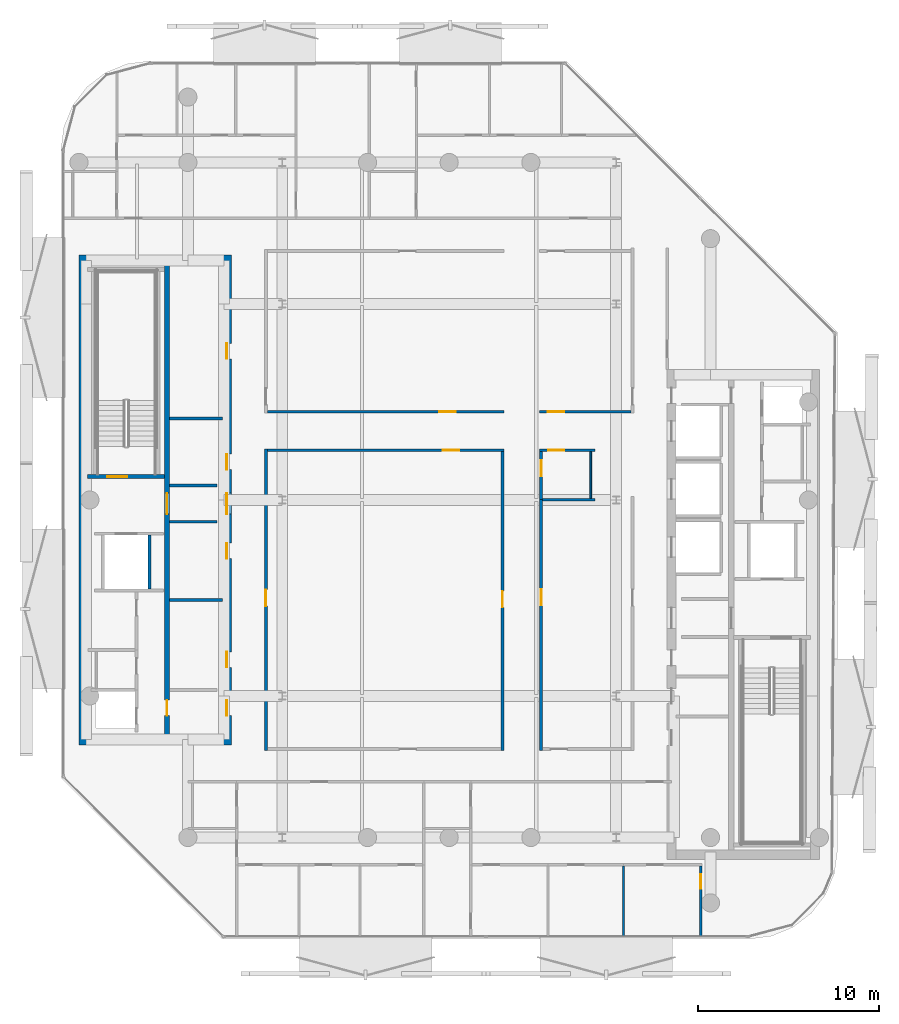
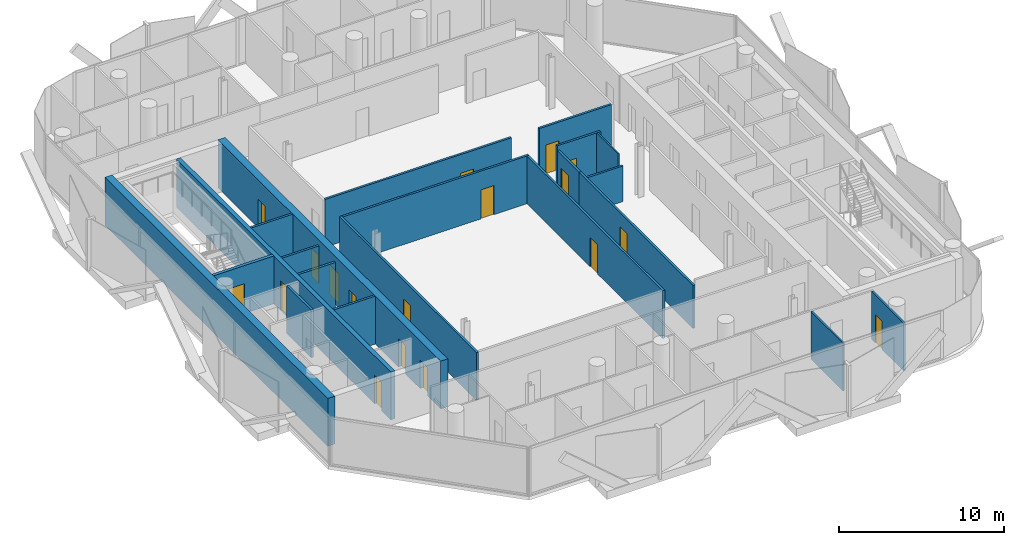
# One storey, part 5 of 17: 21 walls, 18 doors, 18 openings.
"""IFC4 building model written with IfcOpenShell, lengths in metres."""

from ifc_helpers import new_model, si_unit, direction, frame, frame_2d, origin, place, context, subcontext, project, spatial, rectangle, extrude, material, layer, layer_set, type_object, element, fill, save


model = new_model("IFC4")

# Units and contexts
model_context = context("Model", 3, precision=1e-05, world=origin(), true_north=direction((0.0, 1.0)))
body_context = subcontext(model_context, "Body", "Model", "MODEL_VIEW")
ifc_project = project(units=[si_unit("LENGTHUNIT", "METRE"), si_unit("AREAUNIT", "SQUARE_METRE"), si_unit("VOLUMEUNIT", "CUBIC_METRE"), si_unit("PLANEANGLEUNIT", "RADIAN"), si_unit("MASSUNIT", "GRAM", prefix="KILO")], contexts=[model_context])

# Site, building, storey
site_placement = place(None, origin())
site = spatial("IfcSite", under=ifc_project, at=site_placement, CompositionType="ELEMENT")
building_placement = place(site_placement, origin())
building = spatial("IfcBuilding", under=site, at=building_placement, Name="Khairoan Windgate Tower", CompositionType="ELEMENT")
storey_placement = place(building_placement, frame((0.0, 0.0, 308.0)))
storey = spatial("IfcBuildingStorey", under=building, at=storey_placement, Name="L74", CompositionType="ELEMENT", Elevation=308.0)

# Walls
ifc_material_1 = material(Name="Moisture-Resistant Gypsum Partition", Category="gypsum")
ifc_layer_1 = layer(ifc_material_1, 0.10009765625, Name="Moisture-Resistant Gypsum Partition")
ifc_layer_set_1 = layer_set([ifc_layer_1], Name="Moisture-Resistant Gypsum Partition")
wall_type_1 = type_object("IfcWallType", Name="Bathroom Wet-Area Partition Wall", PredefinedType="PARTITIONING", material=ifc_layer_set_1)
wall_1_placement = place(storey_placement, frame((7.800048828125, 2.659912109375, 0.0), z_axis=(0.0, 0.0, 1.0), x_axis=(0.0, -1.0, 0.0)))
element("IfcWall", 1, at=wall_1_placement, inside=storey, type_object=wall_type_1, Name="L74 Wet Room Side Wall 089", PredefinedType="PARTITIONING", context=body_context, shape_type="SweptSolid", body=[
    extrude(rectangle(XDim=2.56982421875, YDim=0.10009765625, at=frame_2d((1.284912109375, 0.0))), origin(), (0.0, 0.0, 1.0), 3.5400390625),
])
ifc_material_2 = material(Name="Concrete C40/50", Category="concrete")
ifc_layer_2 = layer(ifc_material_2, 0.159912109375, Name="Concrete C40/50")
ifc_layer_set_2 = layer_set([ifc_layer_2], Name="Concrete C40/50")
wall_type_2 = type_object("IfcWallType", Name="Core and Hoistway Enclosure Wall", PredefinedType="STANDARD", material=ifc_layer_set_2)
wall_2_placement = place(storey_placement, frame((-16.52001953125, -4.89990234375, 0.0), z_axis=(0.0, 0.0, 1.0), x_axis=(0.0, 1.0, 0.0)))
element("IfcWall", 2, at=wall_2_placement, inside=storey, type_object=wall_type_2, Name="L74 Core Shaft Wall SW-FL2E-L74", PredefinedType="STANDARD", context=body_context, shape_type="SweptSolid", body=[
    extrude(rectangle(XDim=2.9599609375, YDim=0.159912109375, at=frame_2d((1.47998046875, 0.0))), origin(), (0.0, 0.0, 1.0), 3.5400390625),
])
for number, where, z_axis, x_axis, name in (
    (3, (-15.39990234375, 0.800048828125, 0.0), (0.0, 0.0, 1.0), (1.0, 0.0, 0.0), "L74 Core Shaft Wall SW-WV1-L74"),
    (4, (-15.39990234375, -1.199951171875, 0.0), (0.0, 0.0, 1.0), (1.0, 0.0, 0.0), "L74 Core Shaft Wall SW-WV2-L74"),
):
    element("IfcWall", number, at=place(storey_placement, frame(where, z_axis=z_axis, x_axis=x_axis)), inside=storey, type_object=wall_type_2, Name=name, PredefinedType="STANDARD", context=body_context, shape_type="SweptSolid", body=[
        extrude(rectangle(XDim=2.599853515625, YDim=0.159912109375, at=frame_2d((1.2998046875, 0.0))), origin(), (0.0, 0.0, 1.0), 3.5400390625),
    ])
ifc_material_3 = material(Name="Acoustic Fire-Rated Gypsum Partition", Category="gypsum")
ifc_layer_3 = layer(ifc_material_3, 0.139892578125, Name="Acoustic Fire-Rated Gypsum Partition")
ifc_layer_set_3 = layer_set([ifc_layer_3], Name="Acoustic Fire-Rated Gypsum Partition")
wall_type_3 = type_object("IfcWallType", Name="Inter-Tenancy Compartment Wall", PredefinedType="PARTITIONING", material=ifc_layer_set_3)
wall_3_placement = place(storey_placement, frame((5.139892578125, 0.02001953125, 0.0), z_axis=(0.0, 0.0, 1.0), x_axis=(1.0, 0.0, 0.0)))
element("IfcWall", 5, at=wall_3_placement, inside=storey, type_object=wall_type_3, Name="L74 Interior Partition 084", PredefinedType="PARTITIONING", context=body_context, shape_type="SweptSolid", body=[
    extrude(rectangle(XDim=2.900146484375, YDim=0.139892578125, at=frame_2d((1.4501953125, 0.0))), origin(), (0.0, 0.0, 1.0), 2.639892578125),
])

# Wall, opening, door
ifc_material_4 = material(Name="Gypsum Stud Partition", Category="gypsum")
ifc_layer_4 = layer(ifc_material_4, 0.1201171875, Name="Gypsum Stud Partition")
ifc_layer_set_4 = layer_set([ifc_layer_4], Name="Gypsum Stud Partition")
wall_type_4 = type_object("IfcWallType", Name="Internal Room Partition Wall", PredefinedType="PARTITIONING", material=ifc_layer_set_4)
wall_4_placement = place(storey_placement, frame((13.860107421875, -24.054931640625, 0.0), z_axis=(0.0, 0.0, 1.0), x_axis=(0.0, 1.0, 0.0)))
wall_4 = element("IfcWall", 6, at=wall_4_placement, inside=storey, type_object=wall_type_4, Name="L74 Interior Partition 081", PredefinedType="PARTITIONING", context=body_context, shape_type="SweptSolid", body=[
    extrude(rectangle(XDim=3.89501953125, YDim=0.1201171875, at=frame_2d((1.947509765625, 0.0))), origin(), (0.0, 0.0, 1.0), 3.5400390625),
])
opening_1_placement = place(wall_4_placement, frame((2.635009765625, 0.0, 0.0)))
opening_1 = element("IfcOpeningElement", 7, at=opening_1_placement, cuts=wall_4, Name="Opening ID-BTH", PredefinedType="OPENING", context=body_context, shape_type="SweptSolid", body=[
    extrude(rectangle(XDim=0.800048828125, YDim=2.10009765625, at=frame_2d((0.39990234375, 1.050048828125))), frame((0.0, 0.070068359375, 0.0), z_axis=(0.0, -1.0, 0.0), x_axis=(1.0, 0.0, 0.0)), (0.0, 0.0, 1.0), 0.14013671875),
])
ifc_material_5 = material(Name="Teak Veneer Timber Leaf", Category="wood")
door_type_1 = type_object("IfcDoorType", Name="Internal Bathroom Door ID-BTH 800x2100", OperationType="NOTDEFINED", PredefinedType="DOOR", material=ifc_material_5)
door_1_placement = place(opening_1_placement, origin())
door_1 = element("IfcDoor", 8, at=door_1_placement, inside=storey, type_object=door_type_1, Name="L74 L74-57-L74-60 Door", OperationType="SINGLE_SWING_RIGHT", OverallHeight=2.10009765625, OverallWidth=0.800048828125, PredefinedType="DOOR", context=body_context, shape_type="SweptSolid", body=[
    extrude(rectangle(XDim=0.800048828125, YDim=2.10009765625, at=frame_2d((0.39990234375, 1.050048828125))), frame((0.0, 0.02490234375, 0.0), z_axis=(0.0, -1.0, 0.0), x_axis=(1.0, 0.0, 0.0)), (0.0, 0.0, 1.0), 0.050048828125),
])
fill(opening_1, door_1)

# Walls
wall_5_placement = place(storey_placement, frame((9.610107421875, -24.054931640625, 0.0), z_axis=(0.0, 0.0, 1.0), x_axis=(0.0, 1.0, 0.0)))
element("IfcWall", 9, at=wall_5_placement, inside=storey, type_object=wall_type_4, Name="L74 Interior Partition 083", PredefinedType="PARTITIONING", context=body_context, shape_type="SweptSolid", body=[
    extrude(rectangle(XDim=3.89501953125, YDim=0.1201171875, at=frame_2d((1.947509765625, 0.0))), origin(), (0.0, 0.0, 1.0), 3.5400390625),
])
ifc_material_6 = material(Name="Concrete C40/50", Category="concrete")
ifc_layer_5 = layer(ifc_material_6, 0.159912109375, Name="Concrete C40/50")
ifc_layer_set_5 = layer_set([ifc_layer_5], Name="Concrete C40/50")
wall_type_5 = type_object("IfcWallType", Name="Plant and Refuge Compartment Wall", PredefinedType="PARTITIONING", material=ifc_layer_set_5)
for number, where, z_axis, x_axis, name in (
    (10, (-15.39990234375, 4.5, 0.0), (0.0, 0.0, 1.0), (1.0, 0.0, 0.0), "L74 Interior Partition 006"),
    (11, (-15.39990234375, -5.5, 0.0), (0.0, 0.0, 1.0), (1.0, 0.0, 0.0), "L74 Interior Partition 007"),
):
    element("IfcWall", number, at=place(storey_placement, frame(where, z_axis=z_axis, x_axis=x_axis)), inside=storey, type_object=wall_type_5, Name=name, PredefinedType="PARTITIONING", context=body_context, shape_type="SweptSolid", body=[
        extrude(rectangle(XDim=2.89990234375, YDim=0.159912109375, at=frame_2d((1.449951171875, 0.0))), origin(), (0.0, 0.0, 1.0), 3.5400390625),
    ])

# Wall, opening, door
ifc_material_7 = material(Name="Acoustic Fire-Rated Gypsum Partition", Category="gypsum")
ifc_layer_6 = layer(ifc_material_7, 0.14990234375, Name="Acoustic Fire-Rated Gypsum Partition")
ifc_layer_set_6 = layer_set([ifc_layer_6], Name="Acoustic Fire-Rated Gypsum Partition")
wall_type_6 = type_object("IfcWallType", Name="Rated Corridor Partition Wall", PredefinedType="PARTITIONING", material=ifc_layer_set_6)
wall_6_placement = place(storey_placement, frame((-10.10009765625, -13.794921875, 0.0), z_axis=(0.0, 0.0, 1.0), x_axis=(0.0, 1.0, 0.0)))
wall_6 = element("IfcWall", 12, at=wall_6_placement, inside=storey, type_object=wall_type_6, Name="L74 Interior Partition 016", PredefinedType="PARTITIONING", context=body_context, shape_type="SweptSolid", body=[
    extrude(rectangle(XDim=16.60498046875, YDim=0.14990234375, at=frame_2d((8.302490234375, 0.0))), origin(), (0.0, 0.0, 1.0), 3.5400390625),
])
opening_2_placement = place(wall_6_placement, frame((7.953857421875, 0.0, 0.0)))
opening_2 = element("IfcOpeningElement", 13, at=opening_2_placement, cuts=wall_6, Name="Opening FD-ENT", PredefinedType="OPENING", context=body_context, shape_type="SweptSolid", body=[
    extrude(rectangle(XDim=0.89990234375, YDim=2.14990234375, at=frame_2d((0.449951171875, 1.074951171875))), frame((0.0, 0.0849609375, 0.0), z_axis=(0.0, -1.0, 0.0), x_axis=(1.0, 0.0, 0.0)), (0.0, 0.0, 1.0), 0.169921875),
])
ifc_material_8 = material(Name="Timber Fire-Rated Core", Category="wood")
door_type_2 = type_object("IfcDoorType", Name="Unit and Office Fire Entrance Door FD-ENT 900x2150", OperationType="NOTDEFINED", PredefinedType="DOOR", material=ifc_material_8)
door_2_placement = place(opening_2_placement, origin())
door_2 = element("IfcDoor", 14, at=door_2_placement, inside=storey, type_object=door_type_2, Name="L74 L74-29-L74-63 Door", OperationType="SINGLE_SWING_RIGHT", OverallHeight=2.14990234375, OverallWidth=0.89990234375, PredefinedType="DOOR", context=body_context, shape_type="SweptSolid", body=[
    extrude(rectangle(XDim=0.89990234375, YDim=2.14990234375, at=frame_2d((0.449951171875, 1.074951171875))), frame((0.0, 0.02490234375, 0.0), z_axis=(0.0, -1.0, 0.0), x_axis=(1.0, 0.0, 0.0)), (0.0, 0.0, 1.0), 0.050048828125),
])
fill(opening_2, door_2)

wall_7_placement = place(storey_placement, frame((-10.02490234375, 4.864990234375, 0.0), z_axis=(0.0, 0.0, 1.0), x_axis=(1.0, 0.0, 0.0)))
wall_7 = element("IfcWall", 15, at=wall_7_placement, inside=storey, type_object=wall_type_6, Name="L74 Interior Partition 020", PredefinedType="PARTITIONING", context=body_context, shape_type="SweptSolid", body=[
    extrude(rectangle(XDim=13.054931640625, YDim=0.14990234375, at=frame_2d((6.52734375, 0.0))), origin(), (0.0, 0.0, 1.0), 3.5400390625),
])
opening_3_placement = place(wall_7_placement, frame((9.488037109375, 0.0, 0.0)))
opening_3 = element("IfcOpeningElement", 16, at=opening_3_placement, cuts=wall_7, Name="Opening FD-ENT", PredefinedType="OPENING", context=body_context, shape_type="SweptSolid", body=[
    extrude(rectangle(XDim=0.89990234375, YDim=2.14990234375, at=frame_2d((0.449951171875, 1.074951171875))), frame((0.0, 0.0849609375, 0.0), z_axis=(0.0, -1.0, 0.0), x_axis=(1.0, 0.0, 0.0)), (0.0, 0.0, 1.0), 0.169921875),
])
door_3_placement = place(opening_3_placement, origin())
door_3 = element("IfcDoor", 17, at=door_3_placement, inside=storey, type_object=door_type_2, Name="L74 L74-31-L74-62 Door", OperationType="SINGLE_SWING_RIGHT", OverallHeight=2.14990234375, OverallWidth=0.89990234375, PredefinedType="DOOR", context=body_context, shape_type="SweptSolid", body=[
    extrude(rectangle(XDim=0.89990234375, YDim=2.14990234375, at=frame_2d((0.449951171875, 1.074951171875))), frame((0.0, 0.02490234375, 0.0), z_axis=(0.0, -1.0, 0.0), x_axis=(1.0, 0.0, 0.0)), (0.0, 0.0, 1.0), 0.050048828125),
])
fill(opening_3, door_3)

wall_8_placement = place(storey_placement, frame((-10.02490234375, 2.735107421875, 0.0), z_axis=(0.0, 0.0, 1.0), x_axis=(1.0, 0.0, 0.0)))
wall_8 = element("IfcWall", 18, at=wall_8_placement, inside=storey, type_object=wall_type_6, Name="L74 Interior Partition 021", PredefinedType="PARTITIONING", context=body_context, shape_type="SweptSolid", body=[
    extrude(rectangle(XDim=13.034912109375, YDim=0.14990234375, at=frame_2d((6.517578125, 0.0))), origin(), (0.0, 0.0, 1.0), 3.5400390625),
])
opening_4_placement = place(wall_8_placement, frame((9.67236328125, 0.0, 0.0)))
opening_4 = element("IfcOpeningElement", 19, at=opening_4_placement, cuts=wall_8, Name="Opening FD-ENT", PredefinedType="OPENING", context=body_context, shape_type="SweptSolid", body=[
    extrude(rectangle(XDim=0.89990234375, YDim=2.14990234375, at=frame_2d((0.449951171875, 1.074951171875))), frame((0.0, 0.0849609375, 0.0), z_axis=(0.0, -1.0, 0.0), x_axis=(1.0, 0.0, 0.0)), (0.0, 0.0, 1.0), 0.169921875),
])
door_4_placement = place(opening_4_placement, origin())
door_4 = element("IfcDoor", 20, at=door_4_placement, inside=storey, type_object=door_type_2, Name="L74 L74-31-L74-63 Door", OperationType="SINGLE_SWING_LEFT", OverallHeight=2.14990234375, OverallWidth=0.89990234375, PredefinedType="DOOR", context=body_context, shape_type="SweptSolid", body=[
    extrude(rectangle(XDim=0.89990234375, YDim=2.14990234375, at=frame_2d((0.449951171875, 1.074951171875))), frame((0.0, 0.02490234375, 0.0), z_axis=(0.0, -1.0, 0.0), x_axis=(1.0, 0.0, 0.0)), (0.0, 0.0, 1.0), 0.050048828125),
])
fill(opening_4, door_4)

wall_9_placement = place(storey_placement, frame((4.969970703125, 4.864990234375, 0.0), z_axis=(0.0, 0.0, 1.0), x_axis=(1.0, 0.0, 0.0)))
wall_9 = element("IfcWall", 21, at=wall_9_placement, inside=storey, type_object=wall_type_6, Name="L74 Interior Partition 022", PredefinedType="PARTITIONING", context=body_context, shape_type="SweptSolid", body=[
    extrude(rectangle(XDim=5.054931640625, YDim=0.14990234375, at=frame_2d((2.52734375, 0.0))), origin(), (0.0, 0.0, 1.0), 3.5400390625),
])
opening_5_placement = place(wall_9_placement, frame((0.4599609375, 0.0, 0.0)))
opening_5 = element("IfcOpeningElement", 22, at=opening_5_placement, cuts=wall_9, Name="Opening FD-ENT", PredefinedType="OPENING", context=body_context, shape_type="SweptSolid", body=[
    extrude(rectangle(XDim=0.89990234375, YDim=2.14990234375, at=frame_2d((0.449951171875, 1.074951171875))), frame((0.0, 0.0849609375, 0.0), z_axis=(0.0, -1.0, 0.0), x_axis=(1.0, 0.0, 0.0)), (0.0, 0.0, 1.0), 0.169921875),
])
door_5_placement = place(opening_5_placement, origin())
door_5 = element("IfcDoor", 23, at=door_5_placement, inside=storey, type_object=door_type_2, Name="L74 L74-31-L74-64 Door", OperationType="SINGLE_SWING_RIGHT", OverallHeight=2.14990234375, OverallWidth=0.89990234375, PredefinedType="DOOR", context=body_context, shape_type="SweptSolid", body=[
    extrude(rectangle(XDim=0.89990234375, YDim=2.14990234375, at=frame_2d((0.449951171875, 1.074951171875))), frame((0.0, 0.02490234375, 0.0), z_axis=(0.0, -1.0, 0.0), x_axis=(1.0, 0.0, 0.0)), (0.0, 0.0, 1.0), 0.050048828125),
])
fill(opening_5, door_5)

wall_10_placement = place(storey_placement, frame((4.989990234375, 2.735107421875, 0.0), z_axis=(0.0, 0.0, 1.0), x_axis=(1.0, 0.0, 0.0)))
wall_10 = element("IfcWall", 24, at=wall_10_placement, inside=storey, type_object=wall_type_6, Name="L74 Interior Partition 023", PredefinedType="PARTITIONING", context=body_context, shape_type="SweptSolid", body=[
    extrude(rectangle(XDim=3.050048828125, YDim=0.14990234375, at=frame_2d((1.52490234375, 0.0))), origin(), (0.0, 0.0, 1.0), 3.5400390625),
])
opening_6_placement = place(wall_10_placement, frame((0.4599609375, 0.0, 0.0)))
opening_6 = element("IfcOpeningElement", 25, at=opening_6_placement, cuts=wall_10, Name="Opening FD-ENT", PredefinedType="OPENING", context=body_context, shape_type="SweptSolid", body=[
    extrude(rectangle(XDim=0.89990234375, YDim=2.14990234375, at=frame_2d((0.449951171875, 1.074951171875))), frame((0.0, 0.0849609375, 0.0), z_axis=(0.0, -1.0, 0.0), x_axis=(1.0, 0.0, 0.0)), (0.0, 0.0, 1.0), 0.169921875),
])
door_6_placement = place(opening_6_placement, origin())
door_6 = element("IfcDoor", 26, at=door_6_placement, inside=storey, type_object=door_type_2, Name="L74 L74-31-L74-65 Door", OperationType="SINGLE_SWING_LEFT", OverallHeight=2.14990234375, OverallWidth=0.89990234375, PredefinedType="DOOR", context=body_context, shape_type="SweptSolid", body=[
    extrude(rectangle(XDim=0.89990234375, YDim=2.14990234375, at=frame_2d((0.449951171875, 1.074951171875))), frame((0.0, 0.02490234375, 0.0), z_axis=(0.0, -1.0, 0.0), x_axis=(1.0, 0.0, 0.0)), (0.0, 0.0, 1.0), 0.050048828125),
])
fill(opening_6, door_6)

wall_11_placement = place(storey_placement, frame((2.93505859375, -13.794921875, 0.0), z_axis=(0.0, 0.0, 1.0), x_axis=(0.0, 1.0, 0.0)))
wall_11 = element("IfcWall", 27, at=wall_11_placement, inside=storey, type_object=wall_type_6, Name="L74 Interior Partition 024", PredefinedType="PARTITIONING", context=body_context, shape_type="SweptSolid", body=[
    extrude(rectangle(XDim=16.454833984375, YDim=0.14990234375, at=frame_2d((8.2275390625, 0.0))), origin(), (0.0, 0.0, 1.0), 3.5400390625),
])
opening_7_placement = place(wall_11_placement, frame((7.877685546875, 0.0, 0.0)))
opening_7 = element("IfcOpeningElement", 28, at=opening_7_placement, cuts=wall_11, Name="Opening FD-ENT", PredefinedType="OPENING", context=body_context, shape_type="SweptSolid", body=[
    extrude(rectangle(XDim=0.89990234375, YDim=2.14990234375, at=frame_2d((0.449951171875, 1.074951171875))), frame((0.0, 0.0849609375, 0.0), z_axis=(0.0, -1.0, 0.0), x_axis=(1.0, 0.0, 0.0)), (0.0, 0.0, 1.0), 0.169921875),
])
door_7_placement = place(opening_7_placement, origin())
door_7 = element("IfcDoor", 29, at=door_7_placement, inside=storey, type_object=door_type_2, Name="L74 L74-32-L74-63 Door", OperationType="SINGLE_SWING_RIGHT", OverallHeight=2.14990234375, OverallWidth=0.89990234375, PredefinedType="DOOR", context=body_context, shape_type="SweptSolid", body=[
    extrude(rectangle(XDim=0.89990234375, YDim=2.14990234375, at=frame_2d((0.449951171875, 1.074951171875))), frame((0.0, 0.02490234375, 0.0), z_axis=(0.0, -1.0, 0.0), x_axis=(1.0, 0.0, 0.0)), (0.0, 0.0, 1.0), 0.050048828125),
])
fill(opening_7, door_7)

wall_12_placement = place(storey_placement, frame((5.06494140625, 0.02001953125, 0.0), z_axis=(0.0, 0.0, 1.0), x_axis=(0.0, 1.0, 0.0)))
wall_12 = element("IfcWall", 30, at=wall_12_placement, inside=storey, type_object=wall_type_6, Name="L74 Interior Partition 025", PredefinedType="PARTITIONING", context=body_context, shape_type="SweptSolid", body=[
    extrude(rectangle(XDim=2.639892578125, YDim=0.14990234375, at=frame_2d((1.31982421875, 0.0))), origin(), (0.0, 0.0, 1.0), 3.18994140625),
])
opening_8_placement = place(wall_12_placement, frame((1.280029296875, 0.0, 0.0)))
opening_8 = element("IfcOpeningElement", 31, at=opening_8_placement, cuts=wall_12, Name="Opening FD-ENT", PredefinedType="OPENING", context=body_context, shape_type="SweptSolid", body=[
    extrude(rectangle(XDim=0.89990234375, YDim=2.14990234375, at=frame_2d((0.449951171875, 1.074951171875))), frame((0.0, 0.0849609375, 0.0), z_axis=(0.0, -1.0, 0.0), x_axis=(1.0, 0.0, 0.0)), (0.0, 0.0, 1.0), 0.169921875),
])
door_8_placement = place(opening_8_placement, origin())
door_8 = element("IfcDoor", 32, at=door_8_placement, inside=storey, type_object=door_type_2, Name="L74 L74-32-L74-65 Door", OperationType="SINGLE_SWING_LEFT", OverallHeight=2.14990234375, OverallWidth=0.89990234375, PredefinedType="DOOR", context=body_context, shape_type="SweptSolid", body=[
    extrude(rectangle(XDim=0.89990234375, YDim=2.14990234375, at=frame_2d((0.449951171875, 1.074951171875))), frame((0.0, 0.02490234375, 0.0), z_axis=(0.0, -1.0, 0.0), x_axis=(1.0, 0.0, 0.0)), (0.0, 0.0, 1.0), 0.050048828125),
])
fill(opening_8, door_8)

wall_13_placement = place(storey_placement, frame((5.06494140625, -13.794921875, 0.0), z_axis=(0.0, 0.0, 1.0), x_axis=(0.0, 1.0, 0.0)))
wall_13 = element("IfcWall", 33, at=wall_13_placement, inside=storey, type_object=wall_type_6, Name="L74 Interior Partition 026", PredefinedType="PARTITIONING", context=body_context, shape_type="SweptSolid", body=[
    extrude(rectangle(XDim=13.81494140625, YDim=0.14990234375, at=frame_2d((6.907470703125, 0.0))), origin(), (0.0, 0.0, 1.0), 3.18994140625),
])
opening_9_placement = place(wall_13_placement, frame((7.982421875, 0.0, 0.0)))
opening_9 = element("IfcOpeningElement", 34, at=opening_9_placement, cuts=wall_13, Name="Opening FD-ENT", PredefinedType="OPENING", context=body_context, shape_type="SweptSolid", body=[
    extrude(rectangle(XDim=0.89990234375, YDim=2.14990234375, at=frame_2d((0.449951171875, 1.074951171875))), frame((0.0, 0.0849609375, 0.0), z_axis=(0.0, -1.0, 0.0), x_axis=(1.0, 0.0, 0.0)), (0.0, 0.0, 1.0), 0.169921875),
])
door_9_placement = place(opening_9_placement, origin())
door_9 = element("IfcDoor", 35, at=door_9_placement, inside=storey, type_object=door_type_2, Name="L74 L74-32-L74-66 Door", OperationType="SINGLE_SWING_RIGHT", OverallHeight=2.14990234375, OverallWidth=0.89990234375, PredefinedType="DOOR", context=body_context, shape_type="SweptSolid", body=[
    extrude(rectangle(XDim=0.89990234375, YDim=2.14990234375, at=frame_2d((0.449951171875, 1.074951171875))), frame((0.0, 0.02490234375, 0.0), z_axis=(0.0, -1.0, 0.0), x_axis=(1.0, 0.0, 0.0)), (0.0, 0.0, 1.0), 0.050048828125),
])
fill(opening_9, door_9)

# Wall
ifc_material_9 = material(Name="Concrete C50/60", Category="concrete")
ifc_layer_7 = layer(ifc_material_9, 0.5, Name="Concrete C50/60")
ifc_layer_set_7 = layer_set([ifc_layer_7], Name="Concrete C50/60")
wall_type_7 = type_object("IfcWallType", Name="Shear Wall CW-W3 500mm", PredefinedType="SHEAR", material=ifc_layer_set_7)
wall_14_placement = place(storey_placement, frame((-20.14990234375, -13.5, 0.0), z_axis=(0.0, 0.0, 1.0), x_axis=(0.0, 1.0, 0.0)))
element("IfcWall", 36, at=wall_14_placement, inside=storey, type_object=wall_type_7, Name="W Core West Shear Wall L74", PredefinedType="SHEAR", context=body_context, shape_type="SweptSolid", body=[
    extrude(rectangle(XDim=27.0, YDim=0.5, at=frame_2d((13.5, 0.0))), origin(), (0.0, 0.0, 1.0), 3.5400390625),
])

# Wall, openings, doors
wall_15_placement = place(storey_placement, frame((-12.25, -13.5, 0.0), z_axis=(0.0, 0.0, 1.0), x_axis=(0.0, 1.0, 0.0)))
wall_15 = element("IfcWall", 37, at=wall_15_placement, inside=storey, type_object=wall_type_7, Name="W Core East Shear Wall L74", PredefinedType="SHEAR", context=body_context, shape_type="SweptSolid", body=[
    extrude(rectangle(XDim=27.0, YDim=0.5, at=frame_2d((13.5, 0.0))), origin(), (0.0, 0.0, 1.0), 3.5400390625),
])
opening_10_placement = place(wall_15_placement, frame((15.175048828125, 0.0, 0.0)))
opening_10 = element("IfcOpeningElement", 38, at=opening_10_placement, cuts=wall_15, Name="Opening FD-SRV", PredefinedType="OPENING", context=body_context, shape_type="SweptSolid", body=[
    extrude(rectangle(XDim=0.85009765625, YDim=2.10009765625, at=frame_2d((0.425048828125, 1.050048828125))), frame((0.0, 0.260009765625, 0.0), z_axis=(0.0, -1.0, 0.0), x_axis=(1.0, 0.0, 0.0)), (0.0, 0.0, 1.0), 0.52001953125),
])
opening_11_placement = place(wall_15_placement, frame((21.27490234375, 0.0, 0.0)))
opening_11 = element("IfcOpeningElement", 39, at=opening_11_placement, cuts=wall_15, Name="Opening FD-SRV", PredefinedType="OPENING", context=body_context, shape_type="SweptSolid", body=[
    extrude(rectangle(XDim=0.85009765625, YDim=2.10009765625, at=frame_2d((0.425048828125, 1.050048828125))), frame((0.0, 0.260009765625, 0.0), z_axis=(0.0, -1.0, 0.0), x_axis=(1.0, 0.0, 0.0)), (0.0, 0.0, 1.0), 0.52001953125),
])
opening_12_placement = place(wall_15_placement, frame((4.27490234375, 0.0, 0.0)))
opening_12 = element("IfcOpeningElement", 40, at=opening_12_placement, cuts=wall_15, Name="Opening FD-SRV", PredefinedType="OPENING", context=body_context, shape_type="SweptSolid", body=[
    extrude(rectangle(XDim=0.85009765625, YDim=2.10009765625, at=frame_2d((0.425048828125, 1.050048828125))), frame((0.0, 0.260009765625, 0.0), z_axis=(0.0, -1.0, 0.0), x_axis=(1.0, 0.0, 0.0)), (0.0, 0.0, 1.0), 0.52001953125),
])
opening_13_placement = place(wall_15_placement, frame((10.27490234375, 0.0, 0.0)))
opening_13 = element("IfcOpeningElement", 41, at=opening_13_placement, cuts=wall_15, Name="Opening FD-SRV", PredefinedType="OPENING", context=body_context, shape_type="SweptSolid", body=[
    extrude(rectangle(XDim=0.85009765625, YDim=2.10009765625, at=frame_2d((0.425048828125, 1.050048828125))), frame((0.0, 0.260009765625, 0.0), z_axis=(0.0, -1.0, 0.0), x_axis=(1.0, 0.0, 0.0)), (0.0, 0.0, 1.0), 0.52001953125),
])
opening_14_placement = place(wall_15_placement, frame((12.72509765625, 0.0, 0.0)))
opening_14 = element("IfcOpeningElement", 42, at=opening_14_placement, cuts=wall_15, Name="Opening FD-FFL", PredefinedType="OPENING", context=body_context, shape_type="SweptSolid", body=[
    extrude(rectangle(XDim=1.14990234375, YDim=2.199951171875, at=frame_2d((0.574951171875, 1.10009765625))), frame((0.0, 0.260009765625, 0.0), z_axis=(0.0, -1.0, 0.0), x_axis=(1.0, 0.0, 0.0)), (0.0, 0.0, 1.0), 0.52001953125),
])
opening_15_placement = place(wall_15_placement, frame((1.625, 0.0, 0.0)))
opening_15 = element("IfcOpeningElement", 43, at=opening_15_placement, cuts=wall_15, Name="Opening FD-SRV", PredefinedType="OPENING", context=body_context, shape_type="SweptSolid", body=[
    extrude(rectangle(XDim=0.85009765625, YDim=2.10009765625, at=frame_2d((0.425048828125, 1.050048828125))), frame((0.0, 0.260009765625, 0.0), z_axis=(0.0, -1.0, 0.0), x_axis=(1.0, 0.0, 0.0)), (0.0, 0.0, 1.0), 0.52001953125),
])
ifc_material_10 = material(Name="Steel S355", Category="steel")
door_type_3 = type_object("IfcDoorType", Name="Core Service and Riser Fire Door FD-SRV 850x2100", OperationType="NOTDEFINED", PredefinedType="DOOR", material=ifc_material_10)
door_10_placement = place(opening_10_placement, origin())
door_10 = element("IfcDoor", 44, at=door_10_placement, inside=storey, type_object=door_type_3, Name="L74 Upper Core Room Door B1-1", OperationType="SINGLE_SWING_RIGHT", OverallHeight=2.10009765625, OverallWidth=0.85009765625, PredefinedType="DOOR", context=body_context, shape_type="SweptSolid", body=[
    extrude(rectangle(XDim=0.85009765625, YDim=2.10009765625, at=frame_2d((0.425048828125, 1.050048828125))), frame((0.0, 0.02490234375, 0.0), z_axis=(0.0, -1.0, 0.0), x_axis=(1.0, 0.0, 0.0)), (0.0, 0.0, 1.0), 0.050048828125),
])
fill(opening_10, door_10)
door_11_placement = place(opening_11_placement, origin())
door_11 = element("IfcDoor", 45, at=door_11_placement, inside=storey, type_object=door_type_3, Name="L74 Upper Core Room Door B1-2", OperationType="SINGLE_SWING_LEFT", OverallHeight=2.10009765625, OverallWidth=0.85009765625, PredefinedType="DOOR", context=body_context, shape_type="SweptSolid", body=[
    extrude(rectangle(XDim=0.85009765625, YDim=2.10009765625, at=frame_2d((0.425048828125, 1.050048828125))), frame((0.0, 0.02490234375, 0.0), z_axis=(0.0, -1.0, 0.0), x_axis=(1.0, 0.0, 0.0)), (0.0, 0.0, 1.0), 0.050048828125),
])
fill(opening_11, door_11)
door_12_placement = place(opening_12_placement, origin())
door_12 = element("IfcDoor", 46, at=door_12_placement, inside=storey, type_object=door_type_3, Name="L74 Upper Core Room Door B2-1", OperationType="SINGLE_SWING_RIGHT", OverallHeight=2.10009765625, OverallWidth=0.85009765625, PredefinedType="DOOR", context=body_context, shape_type="SweptSolid", body=[
    extrude(rectangle(XDim=0.85009765625, YDim=2.10009765625, at=frame_2d((0.425048828125, 1.050048828125))), frame((0.0, 0.02490234375, 0.0), z_axis=(0.0, -1.0, 0.0), x_axis=(1.0, 0.0, 0.0)), (0.0, 0.0, 1.0), 0.050048828125),
])
fill(opening_12, door_12)
door_13_placement = place(opening_13_placement, origin())
door_13 = element("IfcDoor", 47, at=door_13_placement, inside=storey, type_object=door_type_3, Name="L74 Upper Core Room Door B2-2", OperationType="SINGLE_SWING_LEFT", OverallHeight=2.10009765625, OverallWidth=0.85009765625, PredefinedType="DOOR", context=body_context, shape_type="SweptSolid", body=[
    extrude(rectangle(XDim=0.85009765625, YDim=2.10009765625, at=frame_2d((0.425048828125, 1.050048828125))), frame((0.0, 0.02490234375, 0.0), z_axis=(0.0, -1.0, 0.0), x_axis=(1.0, 0.0, 0.0)), (0.0, 0.0, 1.0), 0.050048828125),
])
fill(opening_13, door_13)
door_14_placement = place(opening_15_placement, origin())
door_14 = element("IfcDoor", 48, at=door_14_placement, inside=storey, type_object=door_type_3, Name="L74 West Core Service Vestibule Outer Door", OperationType="SINGLE_SWING_LEFT", OverallHeight=2.10009765625, OverallWidth=0.85009765625, PredefinedType="DOOR", context=body_context, shape_type="SweptSolid", body=[
    extrude(rectangle(XDim=0.85009765625, YDim=2.10009765625, at=frame_2d((0.425048828125, 1.050048828125))), frame((0.0, 0.02490234375, 0.0), z_axis=(0.0, -1.0, 0.0), x_axis=(1.0, 0.0, 0.0)), (0.0, 0.0, 1.0), 0.050048828125),
])
fill(opening_15, door_14)
ifc_material_11 = material(Name="Steel S355", Category="steel")
door_type_4 = type_object("IfcDoorType", Name="Firefighting Lobby Fire Door FD-FFL 1150x2200", OperationType="NOTDEFINED", PredefinedType="DOOR", material=ifc_material_11)
door_15_placement = place(opening_14_placement, origin())
door_15 = element("IfcDoor", 49, at=door_15_placement, inside=storey, type_object=door_type_4, Name="L74 West Core Vestibule Entry Door", OperationType="SINGLE_SWING_LEFT", OverallHeight=2.199951171875, OverallWidth=1.14990234375, PredefinedType="DOOR", context=body_context, shape_type="SweptSolid", body=[
    extrude(rectangle(XDim=1.14990234375, YDim=2.199951171875, at=frame_2d((0.574951171875, 1.10009765625))), frame((0.0, 0.02490234375, 0.0), z_axis=(0.0, -1.0, 0.0), x_axis=(1.0, 0.0, 0.0)), (0.0, 0.0, 1.0), 0.050048828125),
])
fill(opening_14, door_15)

ifc_material_12 = material(Name="Concrete C50/60", Category="concrete")
ifc_layer_8 = layer(ifc_material_12, 0.300048828125, Name="Concrete C50/60")
ifc_layer_set_8 = layer_set([ifc_layer_8], Name="Concrete C50/60")
wall_type_8 = type_object("IfcWallType", Name="Shear Wall SW-2 300mm", PredefinedType="SHEAR", material=ifc_layer_set_8)
wall_16_placement = place(storey_placement, frame((-15.550048828125, -13.0, 0.0), z_axis=(0.0, 0.0, 1.0), x_axis=(0.0, 1.0, 0.0)))
wall_16 = element("IfcWall", 50, at=wall_16_placement, inside=storey, type_object=wall_type_8, Name="W Core Spine Shear Wall L74", PredefinedType="SHEAR", context=body_context, shape_type="SweptSolid", body=[
    extrude(rectangle(XDim=26.0, YDim=0.300048828125, at=frame_2d((13.0, 0.0))), origin(), (0.0, 0.0, 1.0), 3.5400390625),
])
opening_16_placement = place(wall_16_placement, frame((12.22509765625, 0.0, 0.0)))
opening_16 = element("IfcOpeningElement", 51, at=opening_16_placement, cuts=wall_16, Name="Opening FD-FFL", PredefinedType="OPENING", context=body_context, shape_type="SweptSolid", body=[
    extrude(rectangle(XDim=1.14990234375, YDim=2.199951171875, at=frame_2d((0.574951171875, 1.10009765625))), frame((0.0, 0.159912109375, 0.0), z_axis=(0.0, -1.0, 0.0), x_axis=(1.0, 0.0, 0.0)), (0.0, 0.0, 1.0), 0.320068359375),
])
opening_17_placement = place(wall_16_placement, frame((1.125, 0.0, 0.0)))
opening_17 = element("IfcOpeningElement", 52, at=opening_17_placement, cuts=wall_16, Name="Opening FD-SRV", PredefinedType="OPENING", context=body_context, shape_type="SweptSolid", body=[
    extrude(rectangle(XDim=0.85009765625, YDim=2.10009765625, at=frame_2d((0.425048828125, 1.050048828125))), frame((0.0, 0.159912109375, 0.0), z_axis=(0.0, -1.0, 0.0), x_axis=(1.0, 0.0, 0.0)), (0.0, 0.0, 1.0), 0.320068359375),
])
door_16_placement = place(opening_17_placement, origin())
door_16 = element("IfcDoor", 53, at=door_16_placement, inside=storey, type_object=door_type_3, Name="L74 West Core Service Passage Inner Door", OperationType="SINGLE_SWING_RIGHT", OverallHeight=2.10009765625, OverallWidth=0.85009765625, PredefinedType="DOOR", context=body_context, shape_type="SweptSolid", body=[
    extrude(rectangle(XDim=0.85009765625, YDim=2.10009765625, at=frame_2d((0.425048828125, 1.050048828125))), frame((0.0, 0.02490234375, 0.0), z_axis=(0.0, -1.0, 0.0), x_axis=(1.0, 0.0, 0.0)), (0.0, 0.0, 1.0), 0.050048828125),
])
fill(opening_17, door_16)
door_17_placement = place(opening_16_placement, origin())
door_17 = element("IfcDoor", 54, at=door_17_placement, inside=storey, type_object=door_type_4, Name="L74 West Firefighting Lobby Fire Door", OperationType="SINGLE_SWING_RIGHT", OverallHeight=2.199951171875, OverallWidth=1.14990234375, PredefinedType="DOOR", context=body_context, shape_type="SweptSolid", body=[
    extrude(rectangle(XDim=1.14990234375, YDim=2.199951171875, at=frame_2d((0.574951171875, 1.10009765625))), frame((0.0, 0.02490234375, 0.0), z_axis=(0.0, -1.0, 0.0), x_axis=(1.0, 0.0, 0.0)), (0.0, 0.0, 1.0), 0.050048828125),
])
fill(opening_16, door_17)

# Wall, opening, door
ifc_material_13 = material(Name="Concrete C50/60", Category="concrete")
ifc_layer_9 = layer(ifc_material_13, 0.219970703125, Name="Concrete C50/60")
ifc_layer_set_9 = layer_set([ifc_layer_9], Name="Concrete C50/60")
wall_type_9 = type_object("IfcWallType", Name="Shear Wall SW-ST 220mm", PredefinedType="SHEAR", material=ifc_layer_set_9)
wall_17_placement = place(storey_placement, frame((-19.919921875, 1.2900390625, 0.0), z_axis=(0.0, 0.0, 1.0), x_axis=(1.0, 0.0, 0.0)))
wall_17 = element("IfcWall", 55, at=wall_17_placement, inside=storey, type_object=wall_type_9, Name="L74 Stair ST2 South Bearing Wall", PredefinedType="SHEAR", context=body_context, shape_type="SweptSolid", body=[
    extrude(rectangle(XDim=4.239990234375, YDim=0.219970703125, at=frame_2d((2.1201171875, 0.0))), origin(), (0.0, 0.0, 1.0), 3.5400390625),
])
opening_18_placement = place(wall_17_placement, frame((1.080078125, 0.0, 0.0)))
opening_18 = element("IfcOpeningElement", 56, at=opening_18_placement, cuts=wall_17, Name="Opening FD-ST", PredefinedType="OPENING", context=body_context, shape_type="SweptSolid", body=[
    extrude(rectangle(XDim=1.10009765625, YDim=2.199951171875, at=frame_2d((0.550048828125, 1.10009765625))), frame((0.0, 0.119873046875, 0.0), z_axis=(0.0, -1.0, 0.0), x_axis=(1.0, 0.0, 0.0)), (0.0, 0.0, 1.0), 0.239990234375),
])
ifc_material_14 = material(Name="Steel S355", Category="steel")
door_type_5 = type_object("IfcDoorType", Name="Smokeproof Stair Fire Door FD-ST 1100x2200", OperationType="NOTDEFINED", PredefinedType="DOOR", material=ifc_material_14)
door_18_placement = place(opening_18_placement, origin())
door_18 = element("IfcDoor", 57, at=door_18_placement, inside=storey, type_object=door_type_5, Name="L74 Stair ST2 Fire Door", OperationType="SINGLE_SWING_LEFT", OverallHeight=2.199951171875, OverallWidth=1.10009765625, PredefinedType="DOOR", context=body_context, shape_type="SweptSolid", body=[
    extrude(rectangle(XDim=1.10009765625, YDim=2.199951171875, at=frame_2d((0.550048828125, 1.10009765625))), frame((0.0, 0.02490234375, 0.0), z_axis=(0.0, -1.0, 0.0), x_axis=(1.0, 0.0, 0.0)), (0.0, 0.0, 1.0), 0.050048828125),
])
fill(opening_18, door_18)

save(model, "model.ifc")
